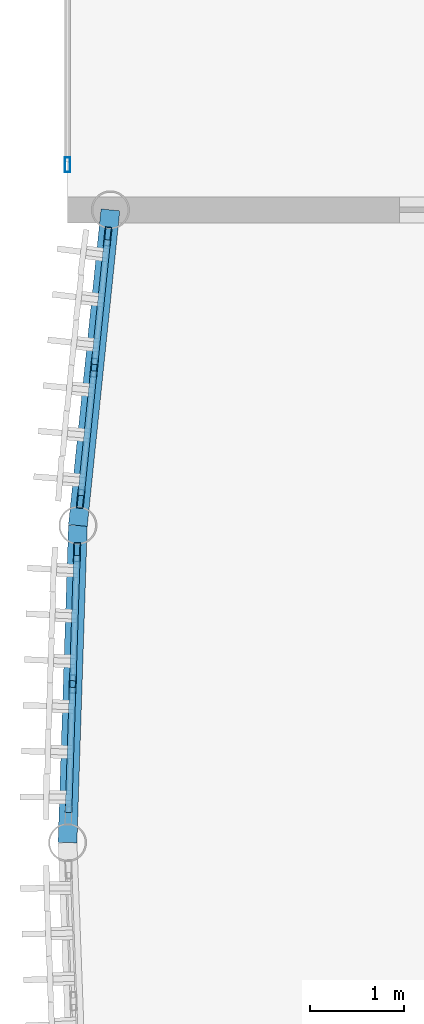
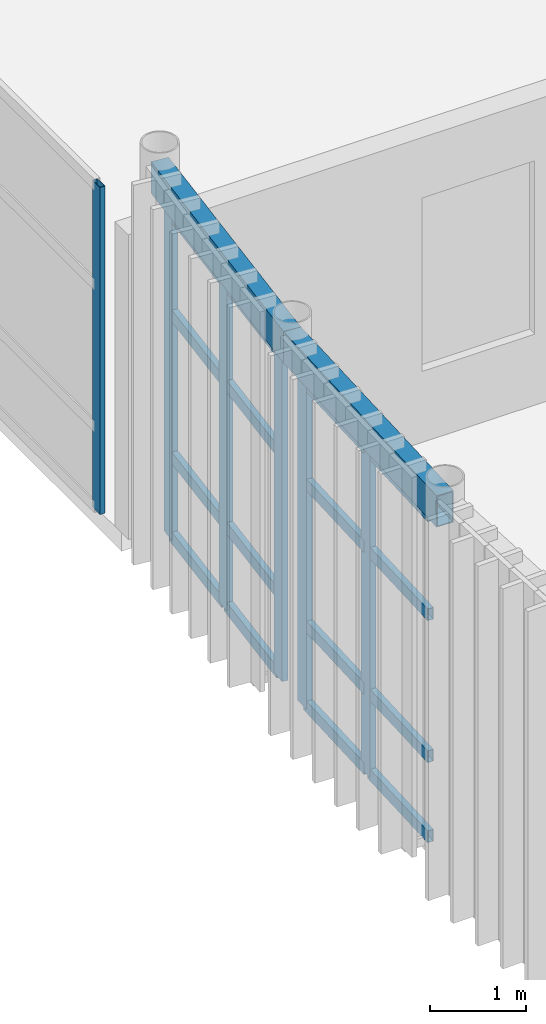
# One storey, part 35 of 116: 22 members, 2 beams, 3 elements without a shape of their own.
"""IFC4 building model written with IfcOpenShell, lengths in metres."""

from ifc_helpers import new_model, si_unit, direction, frame, origin, origin_2d, place, context, subcontext, project, spatial, hollow_rectangle, extrude, material, layer, layer_set, material_profile, profile_set, type_object, element, aggregate, save


model = new_model("IFC4")

# Units and contexts
model_context = context("Model", 3, precision=1e-05, world=origin(), true_north=direction((0.0, 1.0)))
body_context = subcontext(model_context, "Body", "Model", "MODEL_VIEW")
ifc_project = project(units=[si_unit("LENGTHUNIT", "METRE"), si_unit("AREAUNIT", "SQUARE_METRE"), si_unit("VOLUMEUNIT", "CUBIC_METRE"), si_unit("PLANEANGLEUNIT", "RADIAN"), si_unit("MASSUNIT", "GRAM", prefix="KILO")], contexts=[model_context])

# Site, building, storey
site_placement = place(None, origin())
site = spatial("IfcSite", under=ifc_project, at=site_placement, CompositionType="ELEMENT")
building_placement = place(site_placement, origin())
building = spatial("IfcBuilding", under=site, at=building_placement, Name="Selat Folded Stagehouse", CompositionType="ELEMENT")
storey_placement = place(building_placement, frame((0.0, 0.0, 5.39990234375)))
storey = spatial("IfcBuildingStorey", under=building, at=storey_placement, Name="L01", CompositionType="ELEMENT", Elevation=5.39990234375)

# Curtain wall, member
ifc_material_1 = material(Name="Aluminium 6063-T6", Category="aluminium")
ifc_layer_1 = layer(ifc_material_1, 0.179931640625)
ifc_layer_set_1 = layer_set([ifc_layer_1], Name="Aluminium 6063-T6")
curtain_wall_type_1 = type_object("IfcCurtainWallType", Name="CW-BBX-FOYER", PredefinedType="NOTDEFINED", material=ifc_layer_set_1)
curtain_wall_1_placement = place(storey_placement, origin())
curtain_wall_1 = element("IfcCurtainWall", 1, at=curtain_wall_1_placement, inside=storey, type_object=curtain_wall_type_1, Name="L01 curtain wall CW-BRG-21", PredefinedType="NOTDEFINED")
ifc_material_profile_1 = material_profile(ifc_material_1, hollow_rectangle(XDim=0.06005859375, YDim=0.159912109375, WallThickness=0.00390625, at=origin_2d()), Name="ALU 160x60x4.0")
ifc_profile_set_1 = profile_set([ifc_material_profile_1], Name="Aluminium 6063-T6")
member_type_1 = type_object("IfcMemberType", Name="CWM-MUL-160x60", PredefinedType="MULLION", material=ifc_profile_set_1)
member_1_placement = place(storey_placement, frame((0.0, 55.080078125, 0.0), z_axis=(0.0, 0.0, 1.0), x_axis=(-1.0, 0.0, 0.0)))
member_1 = element("IfcMember", 2, at=member_1_placement, type_object=member_type_1, Name="CW-08 mullion 1", PredefinedType="MULLION", context=body_context, shape_type="SweptSolid", body=[
    extrude(hollow_rectangle(XDim=0.06005859375, YDim=0.159912109375, WallThickness=0.00390625, at=origin_2d()), origin(), (0.0, 0.0, 1.0), 4.150146484375),
])
aggregate(curtain_wall_1, [member_1])

# Curtain wall, members
ifc_layer_2 = layer(ifc_material_1, 0.199951171875)
ifc_layer_set_2 = layer_set([ifc_layer_2], Name="Aluminium 6063-T6")
curtain_wall_type_2 = type_object("IfcCurtainWallType", Name="CW-DRM-MID", PredefinedType="NOTDEFINED", material=ifc_layer_set_2)
curtain_wall_2_placement = place(storey_placement, origin())
curtain_wall_2 = element("IfcCurtainWall", 3, at=curtain_wall_2_placement, inside=storey, type_object=curtain_wall_type_2, Name="L01 curtain wall CW-DRM-L01-00", PredefinedType="NOTDEFINED")
ifc_material_profile_2 = material_profile(ifc_material_1, hollow_rectangle(XDim=0.070068359375, YDim=0.199951171875, WallThickness=0.0048828125, at=origin_2d()), Name="ALU 200x70x5.0")
ifc_profile_set_2 = profile_set([ifc_material_profile_2], Name="Aluminium 6063-T6")
member_type_2 = type_object("IfcMemberType", Name="CWM-MUL-200x70", PredefinedType="MULLION", material=ifc_profile_set_2)
member_2_placement = place(storey_placement, frame((0.139404296875, 51.5322265625, 0.0), z_axis=(0.0, 0.0, 1.0), x_axis=(-0.994721032614, 0.102616116059, 0.0)))
member_2 = element("IfcMember", 4, at=member_2_placement, type_object=member_type_2, Name="CW-02 mullion 1", PredefinedType="MULLION", context=body_context, shape_type="SweptSolid", body=[
    extrude(hollow_rectangle(XDim=0.070068359375, YDim=0.199951171875, WallThickness=0.0048828125, at=origin_2d()), origin(), (0.0, 0.0, 1.0), 4.14013671875),
])
member_3_placement = place(storey_placement, frame((0.282958984375, 52.92431640625, 0.0), z_axis=(0.0, 0.0, 1.0), x_axis=(-0.994721032614, 0.102616116059, 0.0)))
member_3 = element("IfcMember", 5, at=member_3_placement, type_object=member_type_2, Name="CW-02 mullion 2", PredefinedType="MULLION", context=body_context, shape_type="SweptSolid", body=[
    extrude(hollow_rectangle(XDim=0.070068359375, YDim=0.199951171875, WallThickness=0.0048828125, at=origin_2d()), origin(), (0.0, 0.0, 1.0), 4.14013671875),
])
member_4_placement = place(storey_placement, frame((0.426513671875, 54.31640625, 0.0), z_axis=(0.0, 0.0, 1.0), x_axis=(-0.994721032614, 0.102616116059, 0.0)))
member_4 = element("IfcMember", 6, at=member_4_placement, type_object=member_type_2, Name="CW-02 mullion 3", PredefinedType="MULLION", context=body_context, shape_type="SweptSolid", body=[
    extrude(hollow_rectangle(XDim=0.070068359375, YDim=0.199951171875, WallThickness=0.0048828125, at=origin_2d()), origin(), (0.0, 0.0, 1.0), 4.14013671875),
])

curtain_wall_3_placement = place(storey_placement, origin())
curtain_wall_3 = element("IfcCurtainWall", 7, at=curtain_wall_3_placement, inside=storey, type_object=curtain_wall_type_2, Name="L01 curtain wall CW-DRM-L01-01", PredefinedType="NOTDEFINED")
member_5_placement = place(storey_placement, frame((0.05517578125, 49.565185546875, 0.0), z_axis=(0.0, 0.0, 1.0), x_axis=(-0.999467648801, 0.032625434862, 0.0)))
member_5 = element("IfcMember", 8, at=member_5_placement, type_object=member_type_2, Name="CW-02 mullion 2", PredefinedType="MULLION", context=body_context, shape_type="SweptSolid", body=[
    extrude(hollow_rectangle(XDim=0.070068359375, YDim=0.199951171875, WallThickness=0.0048828125, at=origin_2d()), origin(), (0.0, 0.0, 1.0), 4.14013671875),
])
member_6_placement = place(storey_placement, frame((0.100830078125, 50.9638671875, 0.0), z_axis=(0.0, 0.0, 1.0), x_axis=(-0.999467648801, 0.032625434862, 0.0)))
member_6 = element("IfcMember", 9, at=member_6_placement, type_object=member_type_2, Name="CW-02 mullion 3", PredefinedType="MULLION", context=body_context, shape_type="SweptSolid", body=[
    extrude(hollow_rectangle(XDim=0.070068359375, YDim=0.199951171875, WallThickness=0.0048828125, at=origin_2d()), origin(), (0.0, 0.0, 1.0), 4.14013671875),
])

# Member
ifc_material_profile_3 = material_profile(ifc_material_1, hollow_rectangle(XDim=0.070068359375, YDim=0.14990234375, WallThickness=0.00390625, at=origin_2d()), Name="ALU 150x70x4.0")
ifc_profile_set_3 = profile_set([ifc_material_profile_3], Name="Aluminium 6063-T6")
member_type_3 = type_object("IfcMemberType", Name="CWM-TRN-150x70", PredefinedType="USERDEFINED", material=ifc_profile_set_3)
member_7_placement = place(storey_placement, frame((0.14306640625, 51.567138671875, 0.03515625), z_axis=(0.102466849221, 0.994736419767, 0.0), x_axis=(-0.994736419767, 0.102466849221, 0.0)))
member_7 = element("IfcMember", 10, at=member_7_placement, type_object=member_type_3, Name="CW-02 transom 1.1", ObjectType="TRANSOM", PredefinedType="USERDEFINED", context=body_context, shape_type="SweptSolid", body=[
    extrude(hollow_rectangle(XDim=0.070068359375, YDim=0.14990234375, WallThickness=0.00390625, at=origin_2d()), origin(), (0.0, 0.0, 1.0), 1.32958984375),
])

member_8_placement = place(storey_placement, frame((0.14306640625, 51.567138671875, 1.050048828125), z_axis=(0.102466849221, 0.994736419767, 0.0), x_axis=(-0.994736419767, 0.102466849221, 0.0)))
member_8 = element("IfcMember", 11, at=member_8_placement, type_object=member_type_3, Name="CW-02 transom 1.2", ObjectType="TRANSOM", PredefinedType="USERDEFINED", context=body_context, shape_type="SweptSolid", body=[
    extrude(hollow_rectangle(XDim=0.070068359375, YDim=0.14990234375, WallThickness=0.00390625, at=origin_2d()), origin(), (0.0, 0.0, 1.0), 1.32958984375),
])

member_9_placement = place(storey_placement, frame((0.14306640625, 51.567138671875, 2.85009765625), z_axis=(0.102466849221, 0.994736419767, 0.0), x_axis=(-0.994736419767, 0.102466849221, 0.0)))
member_9 = element("IfcMember", 12, at=member_9_placement, type_object=member_type_3, Name="CW-02 transom 1.3", ObjectType="TRANSOM", PredefinedType="USERDEFINED", context=body_context, shape_type="SweptSolid", body=[
    extrude(hollow_rectangle(XDim=0.070068359375, YDim=0.14990234375, WallThickness=0.00390625, at=origin_2d()), origin(), (0.0, 0.0, 1.0), 1.32958984375),
])

member_10_placement = place(storey_placement, frame((0.14306640625, 51.567138671875, 4.10498046875), z_axis=(0.102466849221, 0.994736419767, 0.0), x_axis=(-0.994736419767, 0.102466849221, 0.0)))
member_10 = element("IfcMember", 13, at=member_10_placement, type_object=member_type_3, Name="CW-02 transom 1.4", ObjectType="TRANSOM", PredefinedType="USERDEFINED", context=body_context, shape_type="SweptSolid", body=[
    extrude(hollow_rectangle(XDim=0.070068359375, YDim=0.14990234375, WallThickness=0.00390625, at=origin_2d()), origin(), (0.0, 0.0, 1.0), 1.32958984375),
])

member_11_placement = place(storey_placement, frame((0.28662109375, 52.959228515625, 0.03515625), z_axis=(0.102648548396, 0.994717686337, 0.0), x_axis=(-0.994717686337, 0.102648548396, 0.0)))
member_11 = element("IfcMember", 14, at=member_11_placement, type_object=member_type_3, Name="CW-02 transom 2.1", ObjectType="TRANSOM", PredefinedType="USERDEFINED", context=body_context, shape_type="SweptSolid", body=[
    extrude(hollow_rectangle(XDim=0.070068359375, YDim=0.14990234375, WallThickness=0.00390625, at=origin_2d()), origin(), (0.0, 0.0, 1.0), 1.32958984375),
])

member_12_placement = place(storey_placement, frame((0.28662109375, 52.959228515625, 1.050048828125), z_axis=(0.102648548396, 0.994717686337, 0.0), x_axis=(-0.994717686337, 0.102648548396, 0.0)))
member_12 = element("IfcMember", 15, at=member_12_placement, type_object=member_type_3, Name="CW-02 transom 2.2", ObjectType="TRANSOM", PredefinedType="USERDEFINED", context=body_context, shape_type="SweptSolid", body=[
    extrude(hollow_rectangle(XDim=0.070068359375, YDim=0.14990234375, WallThickness=0.00390625, at=origin_2d()), origin(), (0.0, 0.0, 1.0), 1.32958984375),
])

member_13_placement = place(storey_placement, frame((0.28662109375, 52.959228515625, 2.85009765625), z_axis=(0.102648548396, 0.994717686337, 0.0), x_axis=(-0.994717686337, 0.102648548396, 0.0)))
member_13 = element("IfcMember", 16, at=member_13_placement, type_object=member_type_3, Name="CW-02 transom 2.3", ObjectType="TRANSOM", PredefinedType="USERDEFINED", context=body_context, shape_type="SweptSolid", body=[
    extrude(hollow_rectangle(XDim=0.070068359375, YDim=0.14990234375, WallThickness=0.00390625, at=origin_2d()), origin(), (0.0, 0.0, 1.0), 1.32958984375),
])

member_14_placement = place(storey_placement, frame((0.28662109375, 52.959228515625, 4.10498046875), z_axis=(0.102648548396, 0.994717686337, 0.0), x_axis=(-0.994717686337, 0.102648548396, 0.0)))
member_14 = element("IfcMember", 17, at=member_14_placement, type_object=member_type_3, Name="CW-02 transom 2.4", ObjectType="TRANSOM", PredefinedType="USERDEFINED", context=body_context, shape_type="SweptSolid", body=[
    extrude(hollow_rectangle(XDim=0.070068359375, YDim=0.14990234375, WallThickness=0.00390625, at=origin_2d()), origin(), (0.0, 0.0, 1.0), 1.32958984375),
])

aggregate(curtain_wall_2, [member_2, member_3, member_4, member_7, member_8, member_9, member_10, member_11, member_12, member_13, member_14])

member_15_placement = place(storey_placement, frame((0.010498046875, 48.201416015625, 0.03515625), z_axis=(0.032685080765, 0.999465700009, 0.0), x_axis=(-0.999465700009, 0.032685080765, 0.0)))
member_15 = element("IfcMember", 18, at=member_15_placement, type_object=member_type_3, Name="CW-02 transom 1.1", ObjectType="TRANSOM", PredefinedType="USERDEFINED", context=body_context, shape_type="SweptSolid", body=[
    extrude(hollow_rectangle(XDim=0.070068359375, YDim=0.14990234375, WallThickness=0.00390625, at=origin_2d()), origin(), (0.0, 0.0, 1.0), 1.32958984375),
])

member_16_placement = place(storey_placement, frame((0.010498046875, 48.201416015625, 1.050048828125), z_axis=(0.032685080765, 0.999465700009, 0.0), x_axis=(-0.999465700009, 0.032685080765, 0.0)))
member_16 = element("IfcMember", 19, at=member_16_placement, type_object=member_type_3, Name="CW-02 transom 1.2", ObjectType="TRANSOM", PredefinedType="USERDEFINED", context=body_context, shape_type="SweptSolid", body=[
    extrude(hollow_rectangle(XDim=0.070068359375, YDim=0.14990234375, WallThickness=0.00390625, at=origin_2d()), origin(), (0.0, 0.0, 1.0), 1.32958984375),
])

member_17_placement = place(storey_placement, frame((0.010498046875, 48.201416015625, 2.85009765625), z_axis=(0.032685080765, 0.999465700009, 0.0), x_axis=(-0.999465700009, 0.032685080765, 0.0)))
member_17 = element("IfcMember", 20, at=member_17_placement, type_object=member_type_3, Name="CW-02 transom 1.3", ObjectType="TRANSOM", PredefinedType="USERDEFINED", context=body_context, shape_type="SweptSolid", body=[
    extrude(hollow_rectangle(XDim=0.070068359375, YDim=0.14990234375, WallThickness=0.00390625, at=origin_2d()), origin(), (0.0, 0.0, 1.0), 1.32958984375),
])

member_18_placement = place(storey_placement, frame((0.010498046875, 48.201416015625, 4.10498046875), z_axis=(0.032685080765, 0.999465700009, 0.0), x_axis=(-0.999465700009, 0.032685080765, 0.0)))
member_18 = element("IfcMember", 21, at=member_18_placement, type_object=member_type_3, Name="CW-02 transom 1.4", ObjectType="TRANSOM", PredefinedType="USERDEFINED", context=body_context, shape_type="SweptSolid", body=[
    extrude(hollow_rectangle(XDim=0.070068359375, YDim=0.14990234375, WallThickness=0.00390625, at=origin_2d()), origin(), (0.0, 0.0, 1.0), 1.32958984375),
])

member_19_placement = place(storey_placement, frame((0.05615234375, 49.60009765625, 0.03515625), z_axis=(0.032685080765, 0.999465700009, 0.0), x_axis=(-0.999465700009, 0.032685080765, 0.0)))
member_19 = element("IfcMember", 22, at=member_19_placement, type_object=member_type_3, Name="CW-02 transom 2.1", ObjectType="TRANSOM", PredefinedType="USERDEFINED", context=body_context, shape_type="SweptSolid", body=[
    extrude(hollow_rectangle(XDim=0.070068359375, YDim=0.14990234375, WallThickness=0.00390625, at=origin_2d()), origin(), (0.0, 0.0, 1.0), 1.32958984375),
])

member_20_placement = place(storey_placement, frame((0.05615234375, 49.60009765625, 1.050048828125), z_axis=(0.032685080765, 0.999465700009, 0.0), x_axis=(-0.999465700009, 0.032685080765, 0.0)))
member_20 = element("IfcMember", 23, at=member_20_placement, type_object=member_type_3, Name="CW-02 transom 2.2", ObjectType="TRANSOM", PredefinedType="USERDEFINED", context=body_context, shape_type="SweptSolid", body=[
    extrude(hollow_rectangle(XDim=0.070068359375, YDim=0.14990234375, WallThickness=0.00390625, at=origin_2d()), origin(), (0.0, 0.0, 1.0), 1.32958984375),
])

member_21_placement = place(storey_placement, frame((0.05615234375, 49.60009765625, 2.85009765625), z_axis=(0.032685080765, 0.999465700009, 0.0), x_axis=(-0.999465700009, 0.032685080765, 0.0)))
member_21 = element("IfcMember", 24, at=member_21_placement, type_object=member_type_3, Name="CW-02 transom 2.3", ObjectType="TRANSOM", PredefinedType="USERDEFINED", context=body_context, shape_type="SweptSolid", body=[
    extrude(hollow_rectangle(XDim=0.070068359375, YDim=0.14990234375, WallThickness=0.00390625, at=origin_2d()), origin(), (0.0, 0.0, 1.0), 1.32958984375),
])

member_22_placement = place(storey_placement, frame((0.05615234375, 49.60009765625, 4.10498046875), z_axis=(0.032685080765, 0.999465700009, 0.0), x_axis=(-0.999465700009, 0.032685080765, 0.0)))
member_22 = element("IfcMember", 25, at=member_22_placement, type_object=member_type_3, Name="CW-02 transom 2.4", ObjectType="TRANSOM", PredefinedType="USERDEFINED", context=body_context, shape_type="SweptSolid", body=[
    extrude(hollow_rectangle(XDim=0.070068359375, YDim=0.14990234375, WallThickness=0.00390625, at=origin_2d()), origin(), (0.0, 0.0, 1.0), 1.32958984375),
])

aggregate(curtain_wall_3, [member_5, member_6, member_15, member_16, member_17, member_18, member_19, member_20, member_21, member_22])

# Beams
ifc_material_2 = material(Name="Steel S355", Category="steel")
ifc_material_profile_4 = material_profile(ifc_material_2, hollow_rectangle(XDim=0.199951171875, YDim=0.39990234375, WallThickness=0.012451171875, at=origin_2d()), Name="RHS 400x200x12.5")
ifc_profile_set_4 = profile_set([ifc_material_profile_4], Name="Steel S355")
beam_type = type_object("IfcBeamType", Name="SPD-EXT-400x200", PredefinedType="SPANDREL", material=ifc_profile_set_4)
beam_1_placement = place(storey_placement, frame((0.455810546875, 54.60009765625, 4.380126953125), z_axis=(-0.102609885069, -0.994721675388, 0.0), x_axis=(0.994721675388, -0.102609885069, 0.0)))
element("IfcBeam", 26, at=beam_1_placement, inside=storey, type_object=beam_type, Name="L01 curved drum spandrel beam 1", PredefinedType="SPANDREL", context=body_context, shape_type="SweptSolid", body=[
    extrude(hollow_rectangle(XDim=0.199951171875, YDim=0.39990234375, WallThickness=0.012451171875, at=origin_2d()), origin(), (0.0, 0.0, 1.0), 3.369140625),
])
beam_2_placement = place(storey_placement, frame((0.110107421875, 51.248779296875, 4.380126953125), z_axis=(-0.03268264694, -0.999465779599, 0.0), x_axis=(0.999465779599, -0.03268264694, 0.0)))
element("IfcBeam", 27, at=beam_2_placement, inside=storey, type_object=beam_type, Name="L01 curved drum spandrel beam 2", PredefinedType="SPANDREL", context=body_context, shape_type="SweptSolid", body=[
    extrude(hollow_rectangle(XDim=0.199951171875, YDim=0.39990234375, WallThickness=0.012451171875, at=origin_2d()), origin(), (0.0, 0.0, 1.0), 3.368896484375),
])

save(model, "model.ifc")
